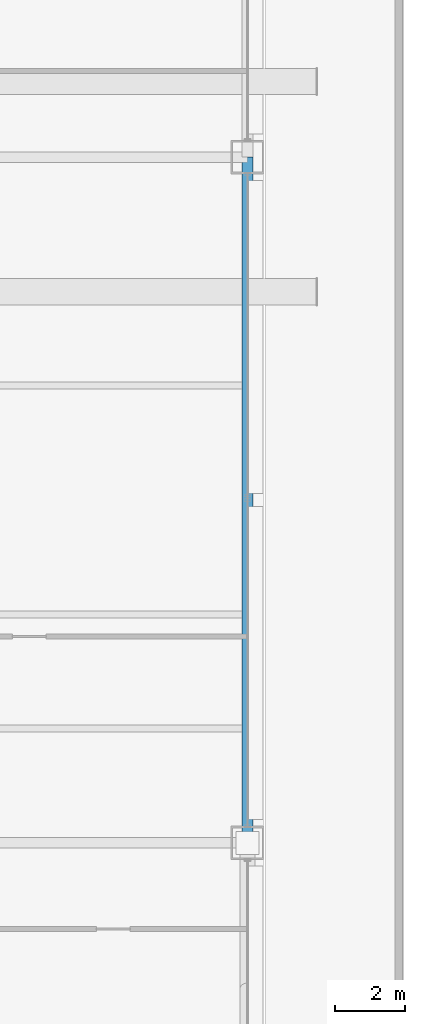
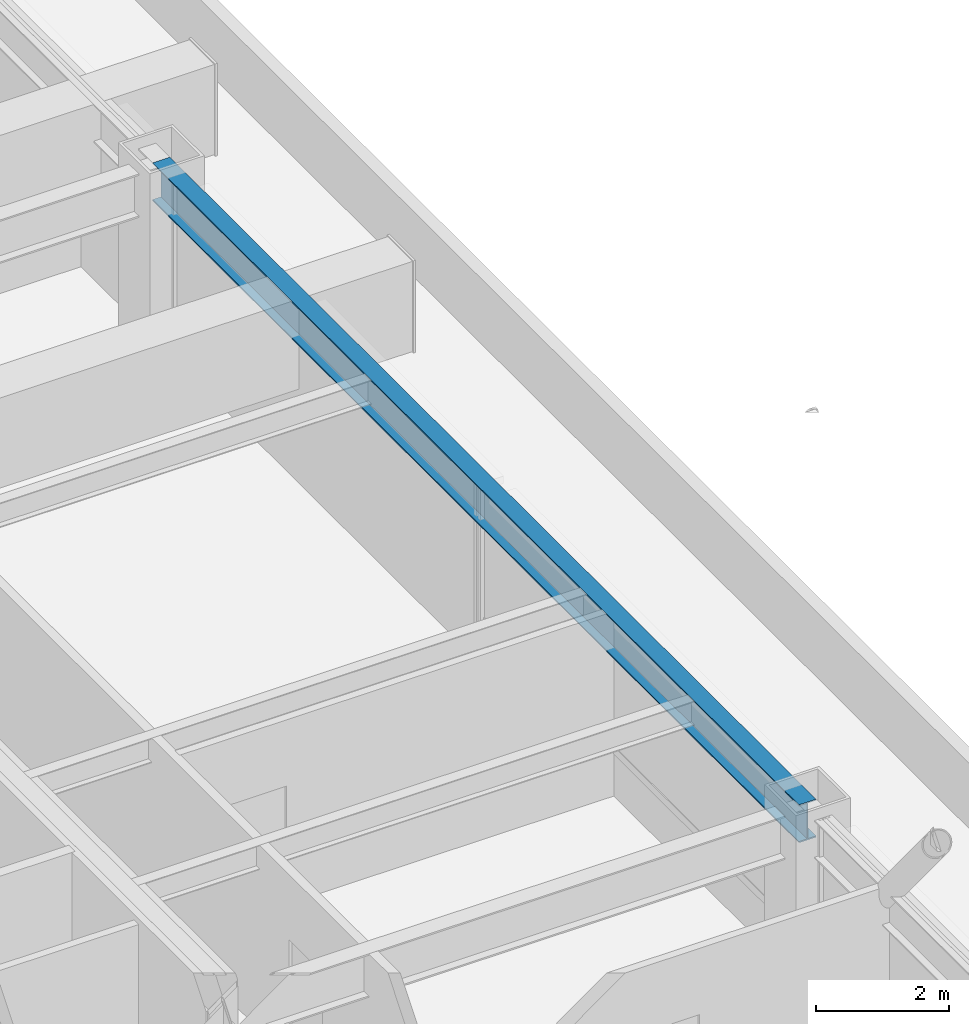
# One storey, part 15 of 33: 1 beam.
"""IFC4 building model written with IfcOpenShell, lengths in metres."""

from ifc_helpers import new_model, si_unit, direction, frame, origin, origin_2d, place, context, subcontext, project, spatial, i_section, extrude, material, material_profile, profile_set, type_object, element, save


model = new_model("IFC4")

# Units and contexts
model_context = context("Model", 3, precision=1e-05, world=origin(), true_north=direction((0.0, 1.0)))
body_context = subcontext(model_context, "Body", "Model", "MODEL_VIEW")
ifc_project = project(units=[si_unit("LENGTHUNIT", "METRE"), si_unit("AREAUNIT", "SQUARE_METRE"), si_unit("VOLUMEUNIT", "CUBIC_METRE"), si_unit("PLANEANGLEUNIT", "RADIAN"), si_unit("MASSUNIT", "GRAM", prefix="KILO")], contexts=[model_context])

# Site, building, storey
site_placement = place(None, origin())
site = spatial("IfcSite", under=ifc_project, at=site_placement, CompositionType="ELEMENT")
building_placement = place(site_placement, origin())
building = spatial("IfcBuilding", under=site, at=building_placement, Name="Brelmoor Portico Tower", CompositionType="ELEMENT")
storey_placement = place(building_placement, frame((0.0, 0.0, 24.0)))
storey = spatial("IfcBuildingStorey", under=building, at=storey_placement, Name="L05", CompositionType="ELEMENT", Elevation=24.0)

# Beam
ifc_material = material(Name="Steel Q355B", Category="steel")
ifc_material_profile = material_profile(ifc_material, i_section(OverallWidth=0.300048828125, OverallDepth=0.699951171875, WebThickness=0.012939453125, FlangeThickness=0.02392578125, at=origin_2d()), Name="HN 700x300x13x24")
ifc_profile_set = profile_set([ifc_material_profile], Name="Steel Q355B")
beam_type = type_object("IfcBeamType", Name="BM-SP-700", PredefinedType="SPANDREL", material=ifc_profile_set)
beam_placement = place(storey_placement, frame((24.550048828125, -9.75, 3.050048828125), z_axis=(0.0, 1.0, 0.0), x_axis=(-1.0, 0.0, 0.0)))
element("IfcBeam", 1, at=beam_placement, inside=storey, type_object=beam_type, Name="L05 Perimeter Spandrel Beam SP-23", PredefinedType="SPANDREL", context=body_context, shape_type="SweptSolid", body=[
    extrude(i_section(OverallWidth=0.300048828125, OverallDepth=0.699951171875, WebThickness=0.012939453125, FlangeThickness=0.02392578125, at=origin_2d()), origin(), (0.0, 0.0, 1.0), 19.5),
])

save(model, "model.ifc")
